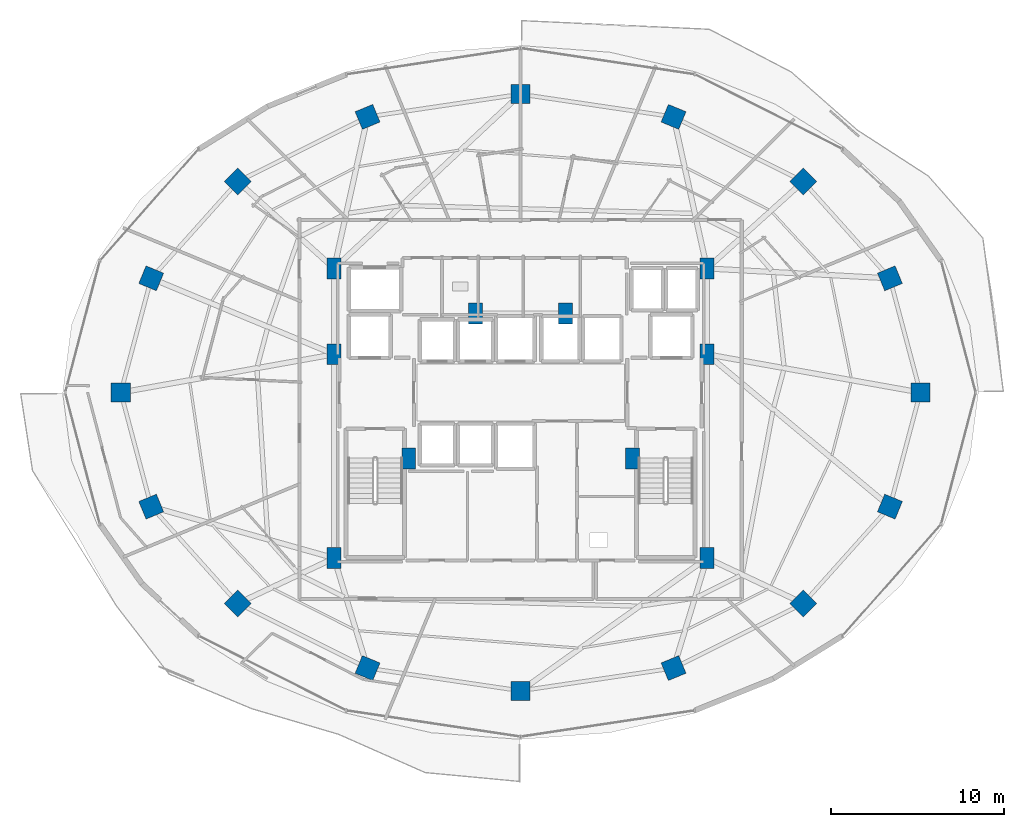
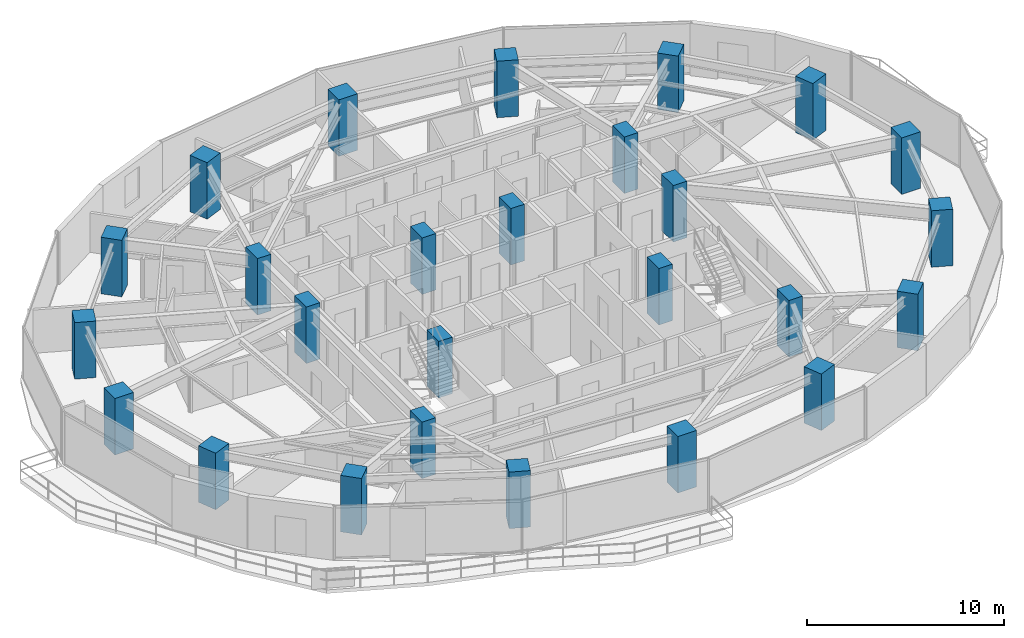
# One storey, part 1 of 31: 26 columns.
"""IFC4 building model written with IfcOpenShell, lengths in metres."""

import ifcopenshell
import ifcopenshell.guid

model = None  # the IFC model being written
_history = None  # IfcOwnerHistory: only IFC2X3 demands one
_inside = {}  # id of a spatial element -> (the spatial element, [elements in it])
_under = {}  # id of a project, library or spatial element -> (it, [spatial elements below it])
_declared = {}  # id of a project -> (the project, [libraries it declares])
_typed = {}  # id of a type object -> (the type object, [elements of that type])
_made_of = {}  # id of a material, layer set ... -> (it, [elements and type objects made of it])


def new_model(schema):
    """Start an empty IFC model of exactly this schema.

    Asked for "IFC4X3", IfcOpenShell would pick the latest addendum, in which some entities
    have other attributes; the version numbers below select the first issue.
    IFC2X3 requires an IfcOwnerHistory on every rooted entity: one is made here for all.
    """
    global model, _history
    if schema == "IFC4X3":
        model = ifcopenshell.file(schema_version=(4, 3, 0, 0))
    else:
        model = ifcopenshell.file(schema=schema)
    _inside.clear()
    _under.clear()
    _declared.clear()
    _typed.clear()
    _made_of.clear()
    _history = None
    if model.schema == "IFC2X3":
        org = make("IfcOrganization", Name="unknown")
        user = make(
            "IfcPersonAndOrganization",
            ThePerson=make("IfcPerson", FamilyName="unknown"),
            TheOrganization=org,
        )
        app = make(
            "IfcApplication",
            ApplicationDeveloper=org,
            Version="unknown",
            ApplicationFullName="unknown",
            ApplicationIdentifier="unknown",
        )
        _history = make(
            "IfcOwnerHistory",
            OwningUser=user,
            OwningApplication=app,
            ChangeAction="ADDED",
            CreationDate=0,
        )
    return model


def make(cls, **values):
    """One entity of the class cls with the attributes given. An attribute that is None is left unset."""
    return model.create_entity(
        cls, **{name: value for name, value in values.items() if value is not None}
    )


def rooted(cls, **values):
    """An entity with a GlobalId (a new one), such as an element, a storey or a relation."""
    return make(cls, GlobalId=ifcopenshell.guid.new(), OwnerHistory=_history, **values)


def si_unit(unit_type, name, prefix=None):
    """IfcSIUnit, for example si_unit("LENGTHUNIT", "METRE", prefix="MILLI")."""
    return make("IfcSIUnit", UnitType=unit_type, Prefix=prefix, Name=name)


def assignment(units):
    """IfcUnitAssignment: the units of a project."""
    return None if units is None else make("IfcUnitAssignment", Units=units)


def point(xyz):
    """IfcCartesianPoint."""
    return None if xyz is None else make("IfcCartesianPoint", Coordinates=xyz)


def direction(xyz):
    """IfcDirection."""
    return None if xyz is None else make("IfcDirection", DirectionRatios=xyz)


def frame(location, z_axis=None, x_axis=None):
    """IfcAxis2Placement3D, a coordinate frame: its origin and axes. An axis left out is left unset."""
    return make(
        "IfcAxis2Placement3D",
        Location=point(location),
        Axis=direction(z_axis),
        RefDirection=direction(x_axis),
    )


def frame_2d(location, x_axis=None):
    """IfcAxis2Placement2D, a coordinate frame in the plane: its origin and x axis."""
    return make(
        "IfcAxis2Placement2D", Location=point(location), RefDirection=direction(x_axis)
    )


def origin():
    """The frame at (0, 0, 0) with its axes left unset."""
    return frame((0.0, 0.0, 0.0))


def origin_2d():
    """The frame at (0, 0) in the plane with its x axis left unset."""
    return frame_2d((0.0, 0.0))


def place(relative_to, where):
    """IfcLocalPlacement: puts the frame where relative to a parent placement (None: the world)."""
    return make(
        "IfcLocalPlacement", PlacementRelTo=relative_to, RelativePlacement=where
    )


def context(
    kind, dimensions, precision=None, world=None, true_north=None, identifier=None
):
    """IfcGeometricRepresentationContext, for example the 3D "Model" context."""
    return make(
        "IfcGeometricRepresentationContext",
        ContextIdentifier=identifier,
        ContextType=kind,
        CoordinateSpaceDimension=dimensions,
        Precision=precision,
        WorldCoordinateSystem=world,
        TrueNorth=true_north,
    )


def subcontext(parent, identifier, kind, view, scale=None):
    """IfcGeometricRepresentationSubContext, for example "Body" below "Model"."""
    return make(
        "IfcGeometricRepresentationSubContext",
        ContextIdentifier=identifier,
        ContextType=kind,
        ParentContext=parent,
        TargetScale=scale,
        TargetView=view,
    )


def project(units=None, contexts=None):
    """IfcProject with its units and contexts."""
    return rooted(
        "IfcProject",
        Name="project",
        RepresentationContexts=contexts,
        UnitsInContext=assignment(units),
    )


def spatial(cls, under=None, at=None, **own):
    """A site, building, storey or space (cls), placed at a placement, below another one or the project."""
    s = rooted(cls, ObjectPlacement=at, **own)
    if under is not None:
        _under.setdefault(under.id(), (under, []))[1].append(s)
    return s


def profile(cls, at=None, kind="AREA", **sizes):
    """A parametric profile (cls). Its sizes go by their IFC names, for example OverallWidth=200.0."""
    return make(cls, ProfileType=kind, Position=at, **sizes)


def rectangle(**sizes):
    """IfcRectangleProfileDef."""
    return profile("IfcRectangleProfileDef", **sizes)


def extrude(swept, where, along, depth):
    """IfcExtrudedAreaSolid: the profile swept, set in the frame where, extruded along a direction by depth."""
    return make(
        "IfcExtrudedAreaSolid",
        SweptArea=swept,
        Position=where,
        ExtrudedDirection=direction(along),
        Depth=depth,
    )


def shape(context_of_items, identifier, shape_type, items):
    """IfcShapeRepresentation: the items that make up one representation, for example the "Body"."""
    return make(
        "IfcShapeRepresentation",
        ContextOfItems=context_of_items,
        RepresentationIdentifier=identifier,
        RepresentationType=shape_type,
        Items=items,
    )


def material(Name=None, Category=None):
    """IfcMaterial."""
    return make("IfcMaterial", Name=Name, Category=Category)


def material_profile(
    of_material, cross_section, Name=None, Category=None, Priority=None
):
    """IfcMaterialProfile: a cross section and its material."""
    return make(
        "IfcMaterialProfile",
        Name=Name,
        Material=of_material,
        Profile=cross_section,
        Priority=Priority,
        Category=Category,
    )


def profile_set(profiles, Name=None, composite=None):
    """IfcMaterialProfileSet."""
    return make(
        "IfcMaterialProfileSet",
        Name=Name,
        MaterialProfiles=profiles,
        CompositeProfile=composite,
    )


def made_of(thing, what):
    """Note that an element or type object is made of a material, layer set ...; save() writes the relation."""
    if what is not None:
        _made_of.setdefault(what.id(), (what, []))[1].append(thing)
    return thing


def type_object(cls, material=None, **own):
    """A type object (cls), such as IfcWallType, which elements share."""
    return made_of(rooted(cls, **own), material)


def element(
    cls,
    number,
    at=None,
    inside=None,
    cuts=None,
    type_object=None,
    material=None,
    context=None,
    identifier="Body",
    shape_type=None,
    held_by="IfcProductDefinitionShape",
    body=None,
    shapes=None,
    **own,
):
    """One element of the class cls, such as IfcWall. Its Tag is "e" and its number.

    at: its placement. inside: the storey or other place that contains it. cuts: it is an
    opening in that element (IfcRelVoidsElement). A single representation is given by context,
    identifier, shape_type and body (its items); several are given by shapes. held_by: the class
    of the entity that holds the representations. save() writes the other relations.
    """
    e = rooted(cls, Tag="e%d" % number, ObjectPlacement=at, **own)
    if body is not None:
        shapes = [shape(context, identifier, shape_type, body)]
    if shapes is not None:
        e.Representation = make(held_by, Representations=shapes)
    if inside is not None:
        _inside.setdefault(inside.id(), (inside, []))[1].append(e)
    if cuts is not None:
        rooted(
            "IfcRelVoidsElement", RelatingBuildingElement=cuts, RelatedOpeningElement=e
        )
    if type_object is not None:
        _typed.setdefault(type_object.id(), (type_object, []))[1].append(e)
    return made_of(e, material)


def aggregate(whole, parts):
    """IfcRelAggregates: a whole, such as a stair, and the parts it consists of."""
    return rooted("IfcRelAggregates", RelatingObject=whole, RelatedObjects=parts)


def save(model, path):
    """Write the relations noted so far, then the file.

    IfcRelAggregates (storeys below a building ...), IfcRelContainedInSpatialStructure (elements
    in a storey), IfcRelDefinesByType, IfcRelAssociatesMaterial and IfcRelDeclares: one each for
    every whole, place, type object, material and project.
    """
    for whole, parts in _under.values():
        aggregate(whole, parts)
    for where, things in _inside.values():
        rooted(
            "IfcRelContainedInSpatialStructure",
            RelatedElements=things,
            RelatingStructure=where,
        )
    for kind, things in _typed.values():
        rooted("IfcRelDefinesByType", RelatedObjects=things, RelatingType=kind)
    for what, things in _made_of.values():
        rooted("IfcRelAssociatesMaterial", RelatedObjects=things, RelatingMaterial=what)
    for by, libraries in _declared.values():
        rooted("IfcRelDeclares", RelatingContext=by, RelatedDefinitions=libraries)
    model.write(path)


model = new_model("IFC4")

# Units and contexts
model_context = context("Model", 3, precision=1e-05, world=origin(), true_north=direction((0.0, 1.0)))
body_context = subcontext(model_context, "Body", "Model", "MODEL_VIEW")
ifc_project = project(units=[si_unit("LENGTHUNIT", "METRE"), si_unit("AREAUNIT", "SQUARE_METRE"), si_unit("VOLUMEUNIT", "CUBIC_METRE"), si_unit("PLANEANGLEUNIT", "RADIAN"), si_unit("MASSUNIT", "GRAM", prefix="KILO")], contexts=[model_context])

# Site, building, storey
site_placement = place(None, origin())
site = spatial("IfcSite", under=ifc_project, at=site_placement, CompositionType="ELEMENT")
building_placement = place(site_placement, origin())
building = spatial("IfcBuilding", under=site, at=building_placement, Name="Vorneva Point Tower", CompositionType="ELEMENT")
storey_placement = place(building_placement, frame((0.0, 0.0, 103.300048828125)))
storey = spatial("IfcBuildingStorey", under=building, at=storey_placement, Name="L27", CompositionType="ELEMENT", Elevation=103.300048828125)

# Columns
ifc_material = material(Name="Concrete B60 (C50/60)", Category="concrete")
ifc_material_profile_1 = material_profile(ifc_material, rectangle(XDim=1.10009765625, YDim=1.10009765625, at=origin_2d()), Name="RC-COL 1100x1100")
ifc_profile_set_1 = profile_set([ifc_material_profile_1], Name="Concrete B60 (C50/60)")
column_type_1 = type_object("IfcColumnType", Name="COL-RC1100", PredefinedType="COLUMN", material=ifc_profile_set_1)
for number, where, z_axis, x_axis, name in (
    (1, (61.050048828125, 26.0, 0.0), (0.0, 0.0, 1.0), (1.0, 0.0, 0.0), "L27 Perimeter Column P01"),
    (2, (59.29541015625, 32.582275390625, 0.0), (0.0, 0.0, 1.0), (0.923879532511, 0.382683432365, 0.0), "L27 Perimeter Column P02"),
    (3, (54.298828125, 38.162109375, 0.0), (0.0, 0.0, 1.0), (0.707106781187, 0.707106781187, 0.0), "L27 Perimeter Column P03"),
    (4, (46.82080078125, 41.890625, 0.0), (0.0, 0.0, 1.0), (0.382683432365, 0.923879532511, 0.0), "L27 Perimeter Column P04"),
    (5, (38.0, 43.199951171875, 0.0), (0.0, 0.0, 1.0), (0.0, 1.0, 0.0), "L27 Perimeter Column P05"),
    (6, (29.17919921875, 41.890625, 0.0), (0.0, 0.0, 1.0), (-0.382683432365, 0.923879532511, 0.0), "L27 Perimeter Column P06"),
    (7, (21.701171875, 38.162109375, 0.0), (0.0, 0.0, 1.0), (-0.707106781187, 0.707106781187, 0.0), "L27 Perimeter Column P07"),
    (8, (16.70458984375, 32.582275390625, 0.0), (0.0, 0.0, 1.0), (-0.923879532511, 0.382683432365, 0.0), "L27 Perimeter Column P08"),
    (9, (14.949951171875, 26.0, 0.0), (0.0, 0.0, 1.0), (-1.0, 0.0, 0.0), "L27 Perimeter Column P09"),
    (10, (16.70458984375, 19.417724609375, 0.0), (0.0, 0.0, 1.0), (-0.923879532511, -0.382683432365, 0.0), "L27 Perimeter Column P10"),
    (11, (21.701171875, 13.837890625, 0.0), (0.0, 0.0, 1.0), (-0.707106781187, -0.707106781187, 0.0), "L27 Perimeter Column P11"),
    (12, (29.17919921875, 10.109375, 0.0), (0.0, 0.0, 1.0), (-0.382683432365, -0.923879532511, 0.0), "L27 Perimeter Column P12"),
    (13, (38.0, 8.800048828125, 0.0), (0.0, 0.0, 1.0), (0.0, -1.0, 0.0), "L27 Perimeter Column P13"),
    (14, (46.82080078125, 10.109375, 0.0), (0.0, 0.0, 1.0), (0.382683432365, -0.923879532511, 0.0), "L27 Perimeter Column P14"),
    (15, (54.298828125, 13.837890625, 0.0), (0.0, 0.0, 1.0), (0.707106781187, -0.707106781187, 0.0), "L27 Perimeter Column P15"),
    (16, (59.29541015625, 19.417724609375, 0.0), (0.0, 0.0, 1.0), (0.923879532511, -0.382683432365, 0.0), "L27 Perimeter Column P16"),
):
    element("IfcColumn", number, at=place(storey_placement, frame(where, z_axis=z_axis, x_axis=x_axis)), inside=storey, type_object=column_type_1, Name=name, PredefinedType="COLUMN", context=body_context, shape_type="SweptSolid", body=[
        extrude(rectangle(XDim=1.10009765625, YDim=1.10009765625, at=origin_2d()), origin(), (0.0, 0.0, 1.0), 3.5),
    ])
ifc_material_profile_2 = material_profile(ifc_material, rectangle(XDim=0.800048828125, YDim=1.199951171875, at=origin_2d()), Name="RC-PIL 1200x800")
ifc_profile_set_2 = profile_set([ifc_material_profile_2], Name="Concrete B60 (C50/60)")
column_type_2 = type_object("IfcColumnType", Name="PIL-RC1200x800", PredefinedType="PILASTER", material=ifc_profile_set_2)
for number, where, z_axis, x_axis, name in (
    (17, (27.25, 16.449951171875, 0.0), (0.0, 0.0, 1.0), (1.0, 0.0, 0.0), "L27 Core Pilaster CP1"),
    (18, (27.25, 28.199951171875, 0.0), (0.0, 0.0, 1.0), (1.0, 0.0, 0.0), "L27 Core Pilaster CP2"),
    (19, (27.25, 33.14990234375, 0.0), (0.0, 0.0, 1.0), (1.0, 0.0, 0.0), "L27 Core Pilaster CP3"),
    (20, (31.550048828125, 22.199951171875, 0.0), (0.0, 0.0, 1.0), (1.0, 0.0, 0.0), "L27 Core Pilaster CP4"),
    (21, (48.75, 33.14990234375, 0.0), (0.0, 0.0, 1.0), (1.0, 0.0, 0.0), "L27 Core Pilaster CP5"),
    (22, (48.75, 28.199951171875, 0.0), (0.0, 0.0, 1.0), (1.0, 0.0, 0.0), "L27 Core Pilaster CP6"),
    (23, (48.75, 16.449951171875, 0.0), (0.0, 0.0, 1.0), (1.0, 0.0, 0.0), "L27 Core Pilaster CP7"),
    (24, (44.449951171875, 22.199951171875, 0.0), (0.0, 0.0, 1.0), (1.0, 0.0, 0.0), "L27 Core Pilaster CP8"),
    (25, (35.39990234375, 30.550048828125, 0.0), (0.0, 0.0, 1.0), (1.0, 0.0, 0.0), "L27 Core Pilaster CP9"),
    (26, (40.60009765625, 30.550048828125, 0.0), (0.0, 0.0, 1.0), (1.0, 0.0, 0.0), "L27 Core Pilaster CP10"),
):
    element("IfcColumn", number, at=place(storey_placement, frame(where, z_axis=z_axis, x_axis=x_axis)), inside=storey, type_object=column_type_2, Name=name, PredefinedType="PILASTER", context=body_context, shape_type="SweptSolid", body=[
        extrude(rectangle(XDim=0.800048828125, YDim=1.199951171875, at=origin_2d()), origin(), (0.0, 0.0, 1.0), 3.5),
    ])

save(model, "model.ifc")
